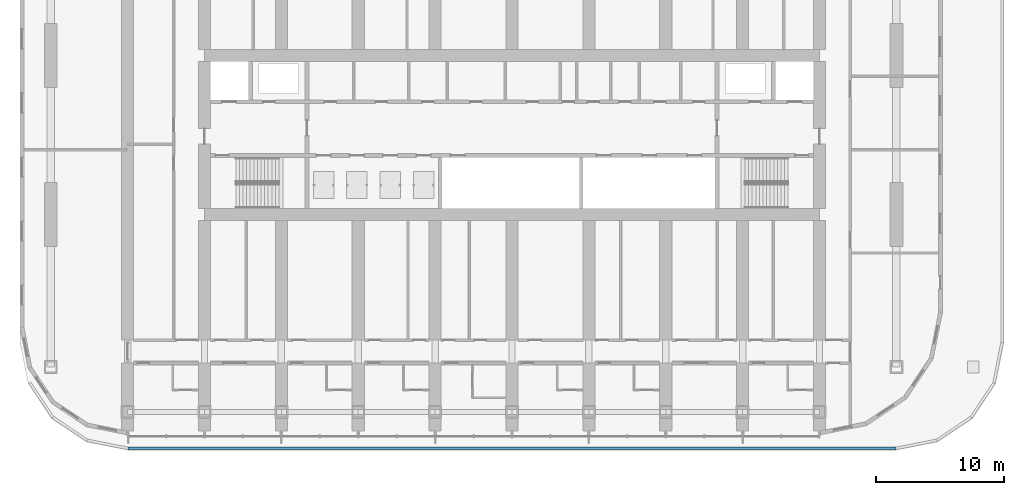
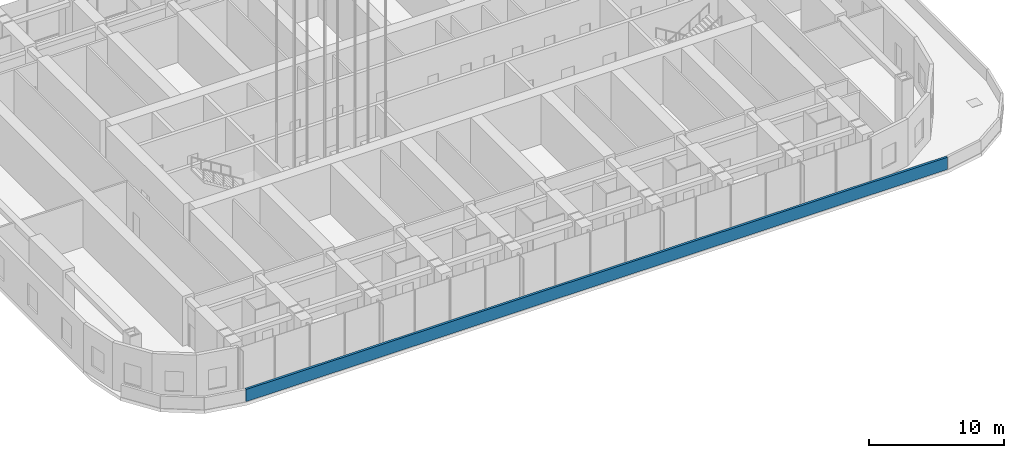
# One storey, part 9 of 31: 1 wall.
"""IFC4 building model written with IfcOpenShell, lengths in metres."""

from ifc_helpers import new_model, si_unit, direction, frame, frame_2d, origin, place, context, subcontext, project, spatial, rectangle, extrude, material, layer, layer_set, type_object, element, save


model = new_model("IFC4")

# Units and contexts
model_context = context("Model", 3, precision=1e-05, world=origin(), true_north=direction((0.0, 1.0)))
body_context = subcontext(model_context, "Body", "Model", "MODEL_VIEW")
ifc_project = project(units=[si_unit("LENGTHUNIT", "METRE"), si_unit("AREAUNIT", "SQUARE_METRE"), si_unit("VOLUMEUNIT", "CUBIC_METRE"), si_unit("PLANEANGLEUNIT", "RADIAN"), si_unit("MASSUNIT", "GRAM", prefix="KILO")], contexts=[model_context])

# Site, building, storey
site_placement = place(None, origin())
site = spatial("IfcSite", under=ifc_project, at=site_placement, CompositionType="ELEMENT")
building_placement = place(site_placement, origin())
building = spatial("IfcBuilding", under=site, at=building_placement, Name="Orbita Commons", CompositionType="ELEMENT")
storey_placement = place(building_placement, frame((0.0, 0.0, 76.14990234375)))
storey = spatial("IfcBuildingStorey", under=building, at=storey_placement, Name="L18", CompositionType="ELEMENT", Elevation=76.14990234375)

# Wall
ifc_material = material(Name="Precast concrete C40/50, white board-marked finish", Category="concrete")
ifc_layer = layer(ifc_material, 0.199951171875)
ifc_layer_set = layer_set([ifc_layer], Name="Precast concrete C40/50, white board-marked finish")
wall_type = type_object("IfcWallType", Name="Precast parapet 200", PredefinedType="PARAPET", material=ifc_layer_set)
wall_placement = place(storey_placement, frame((71.985107421875, 7.550048828125, 0.0), z_axis=(0.0, 0.0, 1.0), x_axis=(-1.0, 0.0, 0.0)))
element("IfcWall", 1, at=wall_placement, inside=storey, type_object=wall_type, Name="Parapet L18 1.14", PredefinedType="PARAPET", context=body_context, shape_type="SweptSolid", body=[
    extrude(rectangle(XDim=59.97021484375, YDim=0.199951171875, at=frame_2d((29.985107421875, 0.0))), origin(), (0.0, 0.0, 1.0), 1.10009765625),
])

save(model, "model.ifc")
